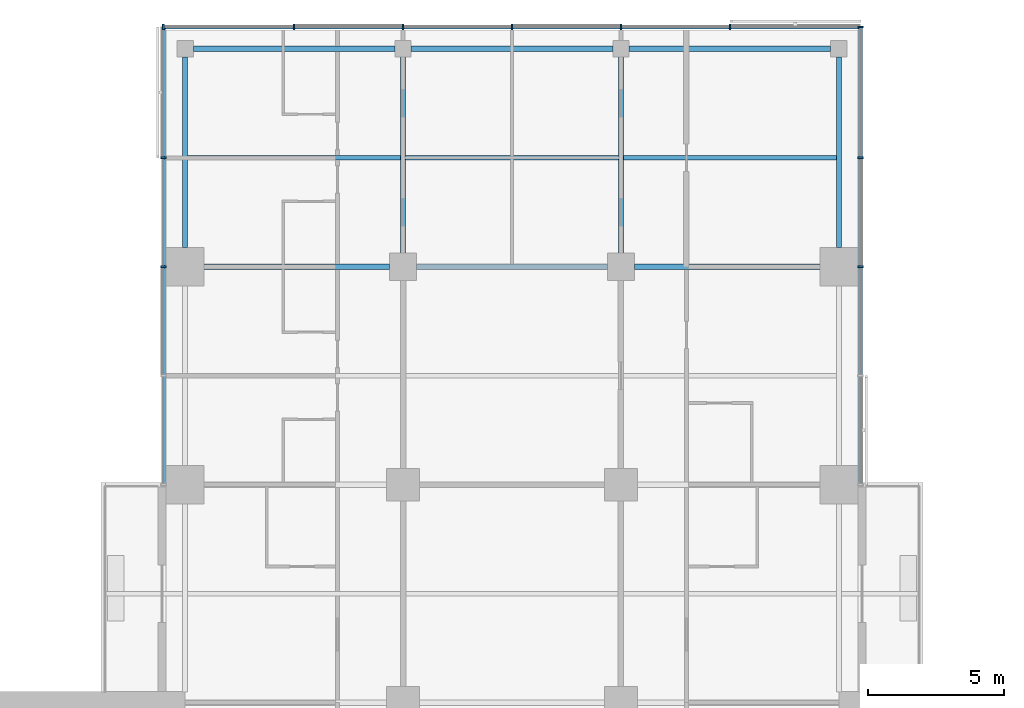
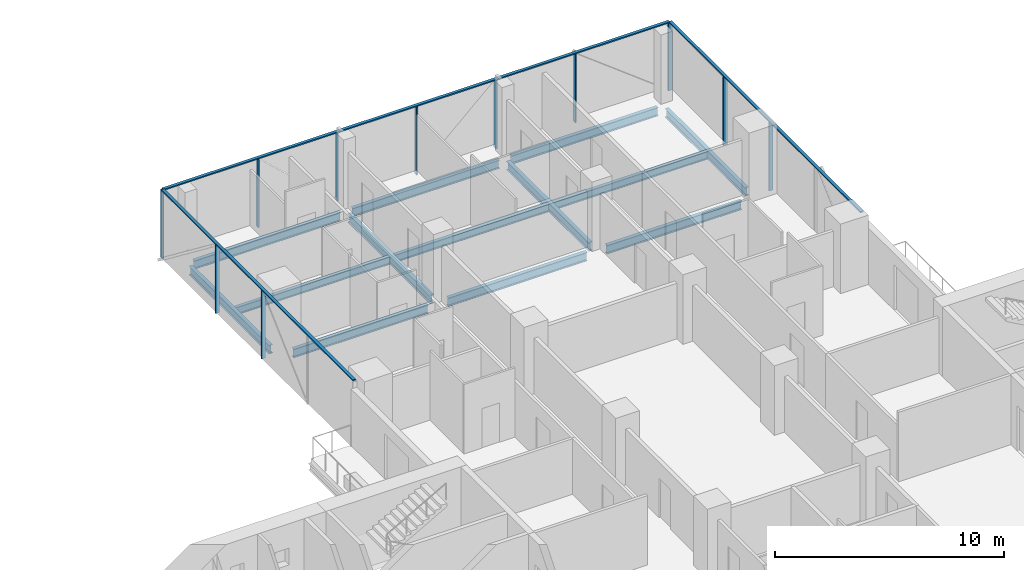
# One storey, part 12 of 27: 14 members, 13 beams, 3 elements without a shape of their own.
"""IFC4 building model written with IfcOpenShell, lengths in metres."""

from ifc_helpers import new_model, si_unit, direction, frame, origin, origin_2d, place, context, subcontext, project, spatial, rectangle, i_section, extrude, material, material_profile, profile_set, type_object, element, aggregate, save


model = new_model("IFC4")

# Units and contexts
model_context = context("Model", 3, precision=1e-05, world=origin(), true_north=direction((0.0, 1.0)))
body_context = subcontext(model_context, "Body", "Model", "MODEL_VIEW")
ifc_project = project(units=[si_unit("LENGTHUNIT", "METRE"), si_unit("AREAUNIT", "SQUARE_METRE"), si_unit("VOLUMEUNIT", "CUBIC_METRE"), si_unit("PLANEANGLEUNIT", "RADIAN"), si_unit("MASSUNIT", "GRAM", prefix="KILO")], contexts=[model_context])

# Site, building, storey
site_placement = place(None, origin())
site = spatial("IfcSite", under=ifc_project, at=site_placement, CompositionType="ELEMENT")
building_placement = place(site_placement, origin())
building = spatial("IfcBuilding", under=site, at=building_placement, Name="Crosswind Convention Tower", CompositionType="ELEMENT")
storey_placement = place(building_placement, frame((0.0, 0.0, 90.5)))
storey = spatial("IfcBuildingStorey", under=building, at=storey_placement, Name="L17", CompositionType="ELEMENT", Elevation=90.5)

# Beams
ifc_material_1 = material(Name="Steel S355", Category="steel")
ifc_material_profile_1 = material_profile(ifc_material_1, i_section(OverallWidth=0.1904296875, OverallDepth=0.457275390625, WebThickness=0.009033203125, FlangeThickness=0.014404296875, FilletRadius=0.01025390625, at=origin_2d()), Name="UB 457x191x75")
ifc_profile_set_1 = profile_set([ifc_material_profile_1], Name="Steel S355")
beam_type_1 = type_object("IfcBeamType", Name="Edge beam UB 457x191x75", PredefinedType="SPANDREL", material=ifc_profile_set_1)
beam_1_placement = place(storey_placement, frame((113.0, 128.699951171875, -0.508544921875), z_axis=(0.0, 1.0, 0.0), x_axis=(-1.0, 0.0, 0.0)))
element("IfcBeam", 1, at=beam_1_placement, inside=storey, type_object=beam_type_1, Name="B17 L17 edge beam 11", PredefinedType="SPANDREL", context=body_context, shape_type="SweptSolid", body=[
    extrude(i_section(OverallWidth=0.1904296875, OverallDepth=0.457275390625, WebThickness=0.009033203125, FlangeThickness=0.014404296875, FilletRadius=0.01025390625, at=origin_2d()), origin(), (0.0, 0.0, 1.0), 7.0),
])
for number, where, z_axis, x_axis, name in (
    (2, (113.300048828125, 136.0, -0.508544921875), (1.0, 0.0, 0.0), (0.0, 1.0, 0.0), "B17 L17 edge beam 13"),
    (3, (121.300048828125, 136.0, -0.508544921875), (1.0, 0.0, 0.0), (0.0, 1.0, 0.0), "B17 L17 edge beam 15"),
    (4, (129.300048828125, 136.0, -0.508544921875), (1.0, 0.0, 0.0), (0.0, 1.0, 0.0), "B17 L17 edge beam 17"),
):
    element("IfcBeam", number, at=place(storey_placement, frame(where, z_axis=z_axis, x_axis=x_axis)), inside=storey, type_object=beam_type_1, Name=name, PredefinedType="SPANDREL", context=body_context, shape_type="SweptSolid", body=[
        extrude(i_section(OverallWidth=0.1904296875, OverallDepth=0.457275390625, WebThickness=0.009033203125, FlangeThickness=0.014404296875, FilletRadius=0.01025390625, at=origin_2d()), origin(), (0.0, 0.0, 1.0), 7.39990234375),
    ])
beam_2_placement = place(storey_placement, frame((137.0, 128.699951171875, -0.508544921875), z_axis=(0.0, 1.0, 0.0), x_axis=(-1.0, 0.0, 0.0)))
element("IfcBeam", 5, at=beam_2_placement, inside=storey, type_object=beam_type_1, Name="B17 L17 edge beam 23", PredefinedType="SPANDREL", context=body_context, shape_type="SweptSolid", body=[
    extrude(i_section(OverallWidth=0.1904296875, OverallDepth=0.457275390625, WebThickness=0.009033203125, FlangeThickness=0.014404296875, FilletRadius=0.01025390625, at=origin_2d()), origin(), (0.0, 0.0, 1.0), 7.0),
])
ifc_material_profile_2 = material_profile(ifc_material_1, i_section(OverallWidth=0.19140625, OverallDepth=0.460205078125, WebThickness=0.010009765625, FlangeThickness=0.01611328125, FilletRadius=0.01025390625, at=origin_2d()), Name="UB 457x191x82")
ifc_profile_set_2 = profile_set([ifc_material_profile_2], Name="Steel S355")
beam_type_2 = type_object("IfcBeamType", Name="Girder UB 457x191x82", PredefinedType="BEAM", material=ifc_profile_set_2)
beam_3_placement = place(storey_placement, frame((113.699951171875, 128.0, -0.510009765625), z_axis=(1.0, 0.0, 0.0), x_axis=(0.0, 1.0, 0.0)))
element("IfcBeam", 6, at=beam_3_placement, inside=storey, type_object=beam_type_2, Name="B3 L17 girder 4", PredefinedType="BEAM", context=body_context, shape_type="SweptSolid", body=[
    extrude(i_section(OverallWidth=0.19140625, OverallDepth=0.460205078125, WebThickness=0.010009765625, FlangeThickness=0.01611328125, FilletRadius=0.01025390625, at=origin_2d()), origin(), (0.0, 0.0, 1.0), 6.800048828125),
])
beam_4_placement = place(storey_placement, frame((121.0, 128.5, -0.510009765625), z_axis=(0.0, 1.0, 0.0), x_axis=(-1.0, 0.0, 0.0)))
element("IfcBeam", 7, at=beam_4_placement, inside=storey, type_object=beam_type_2, Name="B3 L17 girder 13", PredefinedType="BEAM", context=body_context, shape_type="SweptSolid", body=[
    extrude(i_section(OverallWidth=0.19140625, OverallDepth=0.460205078125, WebThickness=0.010009765625, FlangeThickness=0.01611328125, FilletRadius=0.01025390625, at=origin_2d()), origin(), (0.0, 0.0, 1.0), 7.199951171875),
])
beam_5_placement = place(storey_placement, frame((121.5, 128.0, -0.510009765625), z_axis=(1.0, 0.0, 0.0), x_axis=(0.0, 1.0, 0.0)))
element("IfcBeam", 8, at=beam_5_placement, inside=storey, type_object=beam_type_2, Name="B3 L17 girder 15", PredefinedType="BEAM", context=body_context, shape_type="SweptSolid", body=[
    extrude(i_section(OverallWidth=0.19140625, OverallDepth=0.460205078125, WebThickness=0.010009765625, FlangeThickness=0.01611328125, FilletRadius=0.01025390625, at=origin_2d()), origin(), (0.0, 0.0, 1.0), 7.0),
])
beam_6_placement = place(storey_placement, frame((129.0, 128.5, -0.510009765625), z_axis=(0.0, 1.0, 0.0), x_axis=(-1.0, 0.0, 0.0)))
element("IfcBeam", 9, at=beam_6_placement, inside=storey, type_object=beam_type_2, Name="B3 L17 girder 30", PredefinedType="BEAM", context=body_context, shape_type="SweptSolid", body=[
    extrude(i_section(OverallWidth=0.19140625, OverallDepth=0.460205078125, WebThickness=0.010009765625, FlangeThickness=0.01611328125, FilletRadius=0.01025390625, at=origin_2d()), origin(), (0.0, 0.0, 1.0), 7.199951171875),
])
beam_7_placement = place(storey_placement, frame((129.5, 128.0, -0.510009765625), z_axis=(1.0, 0.0, 0.0), x_axis=(0.0, 1.0, 0.0)))
element("IfcBeam", 10, at=beam_7_placement, inside=storey, type_object=beam_type_2, Name="B3 L17 girder 32", PredefinedType="BEAM", context=body_context, shape_type="SweptSolid", body=[
    extrude(i_section(OverallWidth=0.19140625, OverallDepth=0.460205078125, WebThickness=0.010009765625, FlangeThickness=0.01611328125, FilletRadius=0.01025390625, at=origin_2d()), origin(), (0.0, 0.0, 1.0), 6.800048828125),
])

# Curtain wall, members
ifc_material_2 = material(Name="Aluminium unitised curtain wall", Category="aluminium")
curtain_wall_type = type_object("IfcCurtainWallType", Name="HOTEL UNITISED WALL 200", PredefinedType="USERDEFINED", material=ifc_material_2)
curtain_wall_1_placement = place(storey_placement, origin())
curtain_wall_1 = element("IfcCurtainWall", 11, at=curtain_wall_1_placement, inside=storey, type_object=curtain_wall_type, Name="CW2 L17 N-E 1", ObjectType="UNITISED", PredefinedType="USERDEFINED")
ifc_material_3 = material(Name="Aluminium mullion", Category="aluminium")
ifc_material_profile_3 = material_profile(ifc_material_3, rectangle(XDim=0.199951171875, YDim=0.06494140625, at=origin_2d()), Name="AL 200X65")
ifc_profile_set_3 = profile_set([ifc_material_profile_3], Name="Aluminium mullion")
member_type_1 = type_object("IfcMemberType", Name="MULLION 65X200", PredefinedType="MULLION", material=ifc_profile_set_3)
member_1_placement = place(storey_placement, frame((137.800048828125, 128.0, -0.280029296875), z_axis=(0.0, 0.0, 1.0), x_axis=(1.0, 0.0, 0.0)))
member_1 = element("IfcMember", 12, at=member_1_placement, type_object=member_type_1, Name="CW2 mullion 3", PredefinedType="MULLION", context=body_context, shape_type="SweptSolid", body=[
    extrude(rectangle(XDim=0.199951171875, YDim=0.06494140625, at=origin_2d()), origin(), (0.0, 0.0, 1.0), 3.635009765625),
])
member_2_placement = place(storey_placement, frame((137.800048828125, 132.0, -0.280029296875), z_axis=(0.0, 0.0, 1.0), x_axis=(1.0, 0.0, 0.0)))
member_2 = element("IfcMember", 13, at=member_2_placement, type_object=member_type_1, Name="CW2 mullion 4", PredefinedType="MULLION", context=body_context, shape_type="SweptSolid", body=[
    extrude(rectangle(XDim=0.199951171875, YDim=0.06494140625, at=origin_2d()), origin(), (0.0, 0.0, 1.0), 3.635009765625),
])
member_3_placement = place(storey_placement, frame((137.800048828125, 136.800048828125, -0.280029296875), z_axis=(0.0, 0.0, 1.0), x_axis=(1.0, 0.0, 0.0)))
member_3 = element("IfcMember", 14, at=member_3_placement, type_object=member_type_1, Name="CW2 mullion 5", PredefinedType="MULLION", context=body_context, shape_type="SweptSolid", body=[
    extrude(rectangle(XDim=0.199951171875, YDim=0.06494140625, at=origin_2d()), origin(), (0.0, 0.0, 1.0), 3.635009765625),
])

curtain_wall_2_placement = place(storey_placement, origin())
curtain_wall_2 = element("IfcCurtainWall", 15, at=curtain_wall_2_placement, inside=storey, type_object=curtain_wall_type, Name="CW2 L17 N-TIP 1", ObjectType="UNITISED", PredefinedType="USERDEFINED")
member_4_placement = place(storey_placement, frame((133.0, 136.800048828125, -0.280029296875), z_axis=(0.0, 0.0, 1.0), x_axis=(0.0, 1.0, 0.0)))
member_4 = element("IfcMember", 16, at=member_4_placement, type_object=member_type_1, Name="CW2 mullion 2", PredefinedType="MULLION", context=body_context, shape_type="SweptSolid", body=[
    extrude(rectangle(XDim=0.199951171875, YDim=0.06494140625, at=origin_2d()), origin(), (0.0, 0.0, 1.0), 3.635009765625),
])
member_5_placement = place(storey_placement, frame((129.0, 136.800048828125, -0.280029296875), z_axis=(0.0, 0.0, 1.0), x_axis=(0.0, 1.0, 0.0)))
member_5 = element("IfcMember", 17, at=member_5_placement, type_object=member_type_1, Name="CW2 mullion 3", PredefinedType="MULLION", context=body_context, shape_type="SweptSolid", body=[
    extrude(rectangle(XDim=0.199951171875, YDim=0.06494140625, at=origin_2d()), origin(), (0.0, 0.0, 1.0), 3.635009765625),
])
member_6_placement = place(storey_placement, frame((125.0, 136.800048828125, -0.280029296875), z_axis=(0.0, 0.0, 1.0), x_axis=(0.0, 1.0, 0.0)))
member_6 = element("IfcMember", 18, at=member_6_placement, type_object=member_type_1, Name="CW2 mullion 4", PredefinedType="MULLION", context=body_context, shape_type="SweptSolid", body=[
    extrude(rectangle(XDim=0.199951171875, YDim=0.06494140625, at=origin_2d()), origin(), (0.0, 0.0, 1.0), 3.635009765625),
])
member_7_placement = place(storey_placement, frame((121.0, 136.800048828125, -0.280029296875), z_axis=(0.0, 0.0, 1.0), x_axis=(0.0, 1.0, 0.0)))
member_7 = element("IfcMember", 19, at=member_7_placement, type_object=member_type_1, Name="CW2 mullion 5", PredefinedType="MULLION", context=body_context, shape_type="SweptSolid", body=[
    extrude(rectangle(XDim=0.199951171875, YDim=0.06494140625, at=origin_2d()), origin(), (0.0, 0.0, 1.0), 3.635009765625),
])
member_8_placement = place(storey_placement, frame((117.0, 136.800048828125, -0.280029296875), z_axis=(0.0, 0.0, 1.0), x_axis=(0.0, 1.0, 0.0)))
member_8 = element("IfcMember", 20, at=member_8_placement, type_object=member_type_1, Name="CW2 mullion 6", PredefinedType="MULLION", context=body_context, shape_type="SweptSolid", body=[
    extrude(rectangle(XDim=0.199951171875, YDim=0.06494140625, at=origin_2d()), origin(), (0.0, 0.0, 1.0), 3.635009765625),
])
member_9_placement = place(storey_placement, frame((112.199951171875, 136.800048828125, -0.280029296875), z_axis=(0.0, 0.0, 1.0), x_axis=(0.0, 1.0, 0.0)))
member_9 = element("IfcMember", 21, at=member_9_placement, type_object=member_type_1, Name="CW2 mullion 7", PredefinedType="MULLION", context=body_context, shape_type="SweptSolid", body=[
    extrude(rectangle(XDim=0.199951171875, YDim=0.06494140625, at=origin_2d()), origin(), (0.0, 0.0, 1.0), 3.635009765625),
])

curtain_wall_3_placement = place(storey_placement, origin())
curtain_wall_3 = element("IfcCurtainWall", 22, at=curtain_wall_3_placement, inside=storey, type_object=curtain_wall_type, Name="CW2 L17 N-W 1", ObjectType="UNITISED", PredefinedType="USERDEFINED")
member_10_placement = place(storey_placement, frame((112.199951171875, 132.0, -0.280029296875), z_axis=(0.0, 0.0, 1.0), x_axis=(-1.0, 0.0, 0.0)))
member_10 = element("IfcMember", 23, at=member_10_placement, type_object=member_type_1, Name="CW2 mullion 2", PredefinedType="MULLION", context=body_context, shape_type="SweptSolid", body=[
    extrude(rectangle(XDim=0.199951171875, YDim=0.06494140625, at=origin_2d()), origin(), (0.0, 0.0, 1.0), 3.635009765625),
])
member_11_placement = place(storey_placement, frame((112.199951171875, 128.0, -0.280029296875), z_axis=(0.0, 0.0, 1.0), x_axis=(-1.0, 0.0, 0.0)))
member_11 = element("IfcMember", 24, at=member_11_placement, type_object=member_type_1, Name="CW2 mullion 3", PredefinedType="MULLION", context=body_context, shape_type="SweptSolid", body=[
    extrude(rectangle(XDim=0.199951171875, YDim=0.06494140625, at=origin_2d()), origin(), (0.0, 0.0, 1.0), 3.635009765625),
])

# Beams
ifc_material_profile_4 = material_profile(ifc_material_1, i_section(OverallWidth=0.177734375, OverallDepth=0.406494140625, WebThickness=0.0078125, FlangeThickness=0.0126953125, FilletRadius=0.01025390625, at=origin_2d()), Name="UB 406x178x60")
ifc_profile_set_4 = profile_set([ifc_material_profile_4], Name="Steel S355")
beam_type_3 = type_object("IfcBeamType", Name="Secondary beam UB 406x178x60", PredefinedType="JOIST", material=ifc_profile_set_4)
beam_8_placement = place(storey_placement, frame((113.09521484375, 132.0, -0.483154296875), z_axis=(1.0, 0.0, 0.0), x_axis=(0.0, 1.0, 0.0)))
element("IfcBeam", 25, at=beam_8_placement, inside=storey, type_object=beam_type_3, Name="B10 L17 secondary beam 12", PredefinedType="JOIST", context=body_context, shape_type="SweptSolid", body=[
    extrude(i_section(OverallWidth=0.177734375, OverallDepth=0.406494140625, WebThickness=0.0078125, FlangeThickness=0.0126953125, FilletRadius=0.01025390625, at=origin_2d()), origin(), (0.0, 0.0, 1.0), 7.80908203125),
])
beam_9_placement = place(storey_placement, frame((121.095703125, 132.0, -0.483154296875), z_axis=(1.0, 0.0, 0.0), x_axis=(0.0, 1.0, 0.0)))
element("IfcBeam", 26, at=beam_9_placement, inside=storey, type_object=beam_type_3, Name="B10 L17 secondary beam 21", PredefinedType="JOIST", context=body_context, shape_type="SweptSolid", body=[
    extrude(i_section(OverallWidth=0.177734375, OverallDepth=0.406494140625, WebThickness=0.0078125, FlangeThickness=0.0126953125, FilletRadius=0.01025390625, at=origin_2d()), origin(), (0.0, 0.0, 1.0), 7.80859375),
])
beam_10_placement = place(storey_placement, frame((129.095703125, 132.0, -0.483154296875), z_axis=(1.0, 0.0, 0.0), x_axis=(0.0, 1.0, 0.0)))
element("IfcBeam", 27, at=beam_10_placement, inside=storey, type_object=beam_type_3, Name="B10 L17 secondary beam 30", PredefinedType="JOIST", context=body_context, shape_type="SweptSolid", body=[
    extrude(i_section(OverallWidth=0.177734375, OverallDepth=0.406494140625, WebThickness=0.0078125, FlangeThickness=0.0126953125, FilletRadius=0.01025390625, at=origin_2d()), origin(), (0.0, 0.0, 1.0), 7.80908203125),
])

# Member
ifc_material_4 = material(Name="Aluminium transom", Category="aluminium")
ifc_material_profile_5 = material_profile(ifc_material_4, rectangle(XDim=0.14990234375, YDim=0.06494140625, at=origin_2d()), Name="AL 150X65")
ifc_profile_set_5 = profile_set([ifc_material_profile_5], Name="Aluminium transom")
member_type_2 = type_object("IfcMemberType", Name="TRANSOM 65X150", PredefinedType="USERDEFINED", material=ifc_profile_set_5)
member_12_placement = place(storey_placement, frame((137.800048828125, 120.032470703125, 3.387451171875), z_axis=(0.0, 1.0, 0.0), x_axis=(-1.0, 0.0, 0.0)))
member_12 = element("IfcMember", 28, at=member_12_placement, type_object=member_type_2, Name="CW2 transom", ObjectType="TRANSOM", PredefinedType="USERDEFINED", context=body_context, shape_type="SweptSolid", body=[
    extrude(rectangle(XDim=0.14990234375, YDim=0.06494140625, at=origin_2d()), origin(), (0.0, 0.0, 1.0), 16.735107421875),
])

aggregate(curtain_wall_1, [member_1, member_2, member_3, member_12])

member_13_placement = place(storey_placement, frame((137.767578125, 136.800048828125, 3.387451171875), z_axis=(-1.0, 0.0, 0.0), x_axis=(0.0, -1.0, 0.0)))
member_13 = element("IfcMember", 29, at=member_13_placement, type_object=member_type_2, Name="CW2 transom", ObjectType="TRANSOM", PredefinedType="USERDEFINED", context=body_context, shape_type="SweptSolid", body=[
    extrude(rectangle(XDim=0.14990234375, YDim=0.06494140625, at=origin_2d()), origin(), (0.0, 0.0, 1.0), 25.53515625),
])

aggregate(curtain_wall_2, [member_4, member_5, member_6, member_7, member_8, member_9, member_13])

member_14_placement = place(storey_placement, frame((112.199951171875, 136.767578125, 3.387451171875), z_axis=(0.0, -1.0, 0.0), x_axis=(1.0, 0.0, 0.0)))
member_14 = element("IfcMember", 30, at=member_14_placement, type_object=member_type_2, Name="CW2 transom", ObjectType="TRANSOM", PredefinedType="USERDEFINED", context=body_context, shape_type="SweptSolid", body=[
    extrude(rectangle(XDim=0.14990234375, YDim=0.06494140625, at=origin_2d()), origin(), (0.0, 0.0, 1.0), 16.735107421875),
])

aggregate(curtain_wall_3, [member_10, member_11, member_14])

save(model, "model.ifc")
